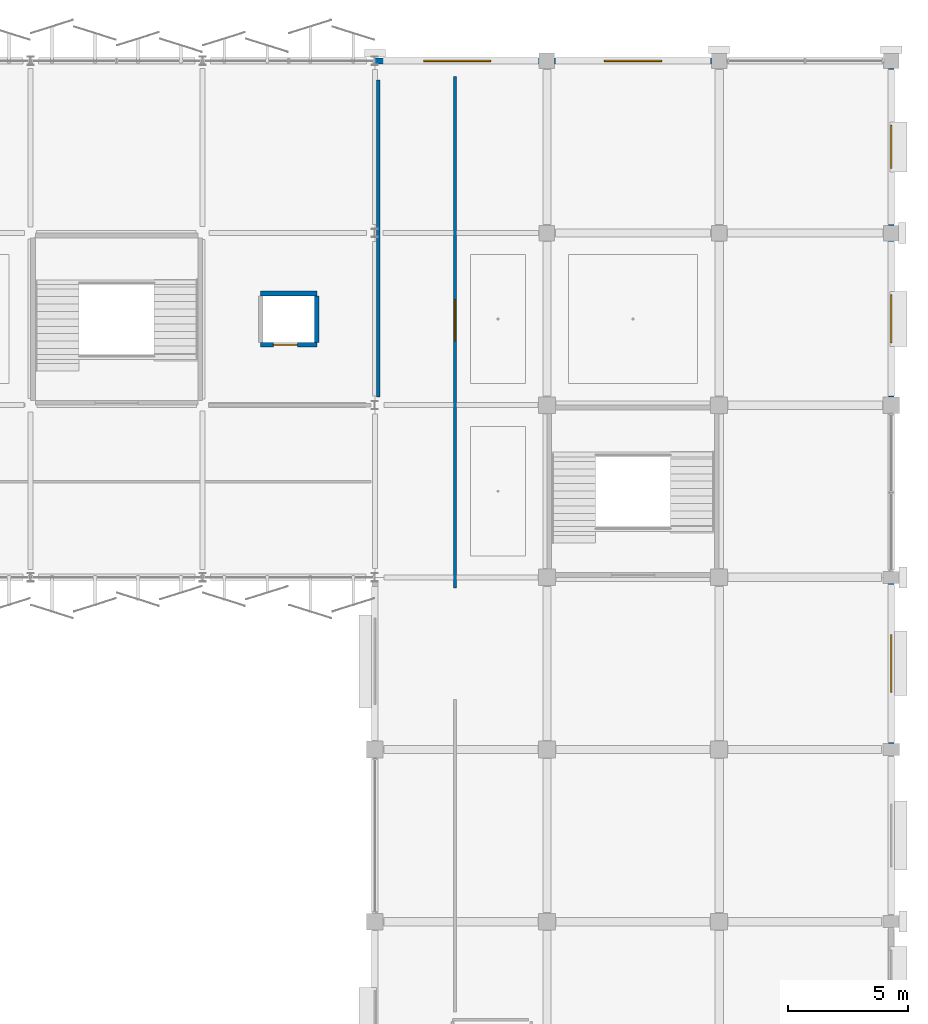
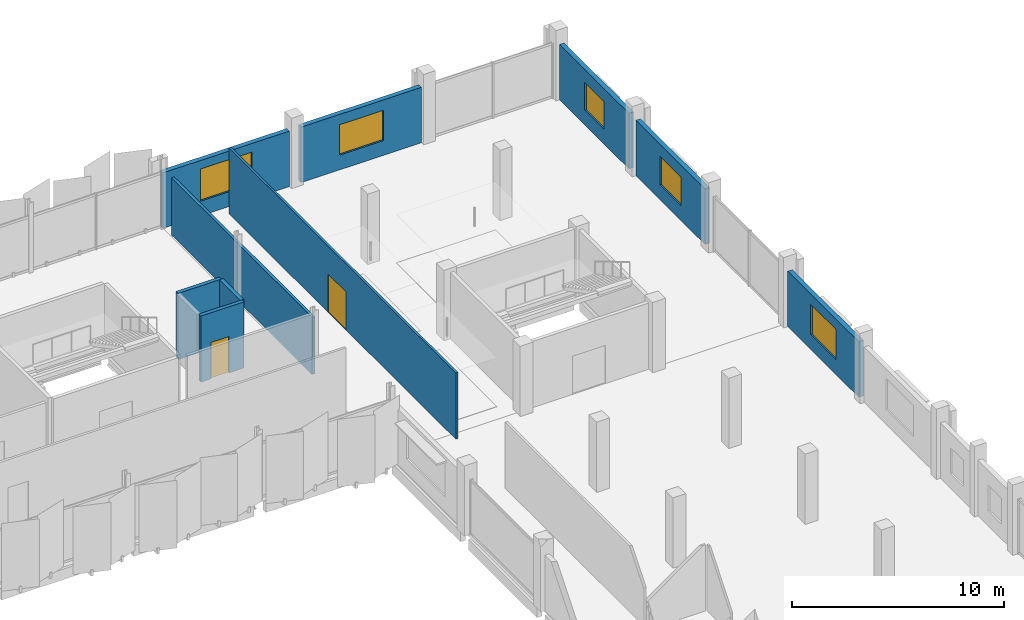
# One storey, part 73 of 91: 10 walls, 5 windows, 2 doors, 7 openings.
"""IFC4 building model written with IfcOpenShell, lengths in metres."""

from ifc_helpers import new_model, si_unit, direction, frame, frame_2d, origin, place, context, subcontext, project, spatial, rectangle, extrude, material, layer, layer_set, type_object, element, fill, save


model = new_model("IFC4")

# Units and contexts
model_context = context("Model", 3, precision=1e-05, world=origin(), true_north=direction((0.0, 1.0)))
body_context = subcontext(model_context, "Body", "Model", "MODEL_VIEW")
ifc_project = project(units=[si_unit("LENGTHUNIT", "METRE"), si_unit("AREAUNIT", "SQUARE_METRE"), si_unit("VOLUMEUNIT", "CUBIC_METRE"), si_unit("PLANEANGLEUNIT", "RADIAN"), si_unit("MASSUNIT", "GRAM", prefix="KILO")], contexts=[model_context])

# Site, building, storey
site_placement = place(None, origin())
site = spatial("IfcSite", under=ifc_project, at=site_placement, CompositionType="ELEMENT")
building_placement = place(site_placement, origin())
building = spatial("IfcBuilding", under=site, at=building_placement, Name="Kangsadwip Square Police Headquarters", CompositionType="ELEMENT")
storey_placement = place(building_placement, frame((0.0, 0.0, 13.5)))
storey = spatial("IfcBuildingStorey", under=building, at=storey_placement, Name="L03", CompositionType="ELEMENT", Elevation=13.5)

# Wall, opening, door
ifc_material_1 = material(Name="Fire-rated double gypsum board acoustic stud partition", Category="masonry")
ifc_layer_1 = layer(ifc_material_1, 0.1201171875)
ifc_layer_set_1 = layer_set([ifc_layer_1], Name="Fire-rated double gypsum board acoustic stud partition")
wall_type_1 = type_object("IfcWallType", Name="AcousticPartition120", PredefinedType="PARTITIONING", material=ifc_layer_set_1)
wall_1_placement = place(storey_placement, frame((147.35009765625, 93.14990234375, 0.0), z_axis=(0.0, 0.0, 1.0), x_axis=(0.0, 1.0, 0.0)))
wall_1 = element("IfcWall", 1, at=wall_1_placement, inside=storey, type_object=wall_type_1, Name="Interior Wall WI-L03-0819", PredefinedType="PARTITIONING", context=body_context, shape_type="SweptSolid", body=[
    extrude(rectangle(XDim=21.400146484375, YDim=0.1201171875, at=frame_2d((10.7001953125, 0.0))), origin(), (0.0, 0.0, 1.0), 3.81005859375),
])
opening_1_placement = place(wall_1_placement, frame((10.35498046875, 0.0, 0.0)))
opening_1 = element("IfcOpeningElement", 2, at=opening_1_placement, cuts=wall_1, Name="Opening ID-17", PredefinedType="OPENING", context=body_context, shape_type="SweptSolid", body=[
    extrude(rectangle(XDim=1.699951171875, YDim=2.199951171875, at=frame_2d((0.85009765625, 1.10009765625))), frame((0.0, 0.070068359375, 0.0), z_axis=(0.0, -1.0, 0.0), x_axis=(1.0, 0.0, 0.0)), (0.0, 0.0, 1.0), 0.14013671875),
])
ifc_material_2 = material(Name="Insulated galvanized steel fire-rated door assembly", Category="steel")
door_type_1 = type_object("IfcDoorType", Name="LabDoubleDoor1700x2200", OperationType="DOUBLE_DOOR_SINGLE_SWING", PredefinedType="DOOR", material=ifc_material_2)
door_1_placement = place(opening_1_placement, origin())
door_1 = element("IfcDoor", 3, at=door_1_placement, inside=storey, type_object=door_type_1, Name="Interior Door ID-L03-0212", OperationType="DOUBLE_DOOR_SINGLE_SWING", OverallHeight=2.199951171875, OverallWidth=1.699951171875, PredefinedType="DOOR", context=body_context, shape_type="SweptSolid", body=[
    extrude(rectangle(XDim=1.699951171875, YDim=2.199951171875, at=frame_2d((0.85009765625, 1.10009765625))), frame((0.0, 0.02490234375, 0.0), z_axis=(0.0, -1.0, 0.0), x_axis=(1.0, 0.0, 0.0)), (0.0, 0.0, 1.0), 0.050048828125),
])
fill(opening_1, door_1)

# Wall
ifc_material_3 = material(Name="Autoclaved aerated concrete blockwork masonry", Category="masonry")
ifc_layer_2 = layer(ifc_material_3, 0.14990234375)
ifc_layer_set_2 = layer_set([ifc_layer_2], Name="Autoclaved aerated concrete blockwork masonry")
wall_type_2 = type_object("IfcWallType", Name="BlockPartition150", PredefinedType="PARTITIONING", material=ifc_layer_set_2)
wall_2_placement = place(storey_placement, frame((144.14990234375, 101.14990234375, 0.0), z_axis=(0.0, 0.0, 1.0), x_axis=(0.0, 1.0, 0.0)))
element("IfcWall", 4, at=wall_2_placement, inside=storey, type_object=wall_type_2, Name="Interior Wall WI-L03-0815", PredefinedType="PARTITIONING", context=body_context, shape_type="SweptSolid", body=[
    extrude(rectangle(XDim=13.25, YDim=0.14990234375, at=frame_2d((6.625, 0.0))), origin(), (0.0, 0.0, 1.0), 3.300048828125),
])

# Wall, opening, window
ifc_material_4 = material(Name="Glazed architectural terracotta masonry rainscreen", Category="masonry")
ifc_layer_3 = layer(ifc_material_4, 0.25)
ifc_layer_set_3 = layer_set([ifc_layer_3], Name="Glazed architectural terracotta masonry rainscreen")
wall_type_3 = type_object("IfcWallType", Name="ChicagoTerracottaWall250", PredefinedType="SOLIDWALL", material=ifc_layer_set_3)
wall_3_placement = place(storey_placement, frame((144.010009765625, 115.199951171875, 0.0), z_axis=(0.0, 0.0, 1.0), x_axis=(1.0, 0.0, 0.0)))
wall_3 = element("IfcWall", 5, at=wall_3_placement, inside=storey, type_object=wall_type_3, Name="Exterior Wall WE-L03-378", PredefinedType="SOLIDWALL", context=body_context, shape_type="SweptSolid", body=[
    extrude(rectangle(XDim=6.869873046875, YDim=0.25, at=frame_2d((3.43505859375, 0.0))), origin(), (0.0, 0.0, 1.0), 3.195068359375),
])
opening_2_placement = place(wall_3_placement, frame((2.034912109375, 0.0, 0.85009765625)))
opening_2 = element("IfcOpeningElement", 6, at=opening_2_placement, cuts=wall_3, Name="Opening WN-05", PredefinedType="OPENING", context=body_context, shape_type="SweptSolid", body=[
    extrude(rectangle(XDim=2.800048828125, YDim=1.85009765625, at=frame_2d((1.39990234375, 0.925048828125))), frame((0.0, 0.135009765625, 0.0), z_axis=(0.0, -1.0, 0.0), x_axis=(1.0, 0.0, 0.0)), (0.0, 0.0, 1.0), 0.27001953125),
])
ifc_material_5 = material(Name="Double-glazed solar-control low-E safety glass", Category="glass")
window_type_1 = type_object("IfcWindowType", Name="ChicagoDoubleMullWin2800x1850", PartitioningType="DOUBLE_PANEL_VERTICAL", PredefinedType="WINDOW", material=ifc_material_5)
window_1_placement = place(opening_2_placement, origin())
window_1 = element("IfcWindow", 7, at=window_1_placement, inside=storey, type_object=window_type_1, Name="Window WN-L03-0231", OverallHeight=1.85009765625, OverallWidth=2.800048828125, PartitioningType="SINGLE_PANEL", PredefinedType="WINDOW", context=body_context, shape_type="SweptSolid", body=[
    extrude(rectangle(XDim=2.800048828125, YDim=1.85009765625, at=frame_2d((1.39990234375, 0.925048828125))), frame((0.0, 0.030029296875, 0.0), z_axis=(0.0, -1.0, 0.0), x_axis=(1.0, 0.0, 0.0)), (0.0, 0.0, 1.0), 0.06005859375),
])
fill(opening_2, window_1)

wall_4_placement = place(storey_placement, frame((151.52001953125, 115.199951171875, 0.0), z_axis=(0.0, 0.0, 1.0), x_axis=(1.0, 0.0, 0.0)))
wall_4 = element("IfcWall", 8, at=wall_4_placement, inside=storey, type_object=wall_type_3, Name="Exterior Wall WE-L03-379", PredefinedType="SOLIDWALL", context=body_context, shape_type="SweptSolid", body=[
    extrude(rectangle(XDim=6.56005859375, YDim=0.25, at=frame_2d((3.280029296875, 0.0))), origin(), (0.0, 0.0, 1.0), 3.195068359375),
])
opening_3_placement = place(wall_4_placement, frame((2.080078125, 0.0, 0.85009765625)))
opening_3 = element("IfcOpeningElement", 9, at=opening_3_placement, cuts=wall_4, Name="Opening WN-07", PredefinedType="OPENING", context=body_context, shape_type="SweptSolid", body=[
    extrude(rectangle(XDim=2.39990234375, YDim=1.75, at=frame_2d((1.199951171875, 0.875))), frame((0.0, 0.135009765625, 0.0), z_axis=(0.0, -1.0, 0.0), x_axis=(1.0, 0.0, 0.0)), (0.0, 0.0, 1.0), 0.27001953125),
])
ifc_material_6 = material(Name="Double-glazed solar-control low-E safety glass", Category="glass")
window_type_2 = type_object("IfcWindowType", Name="ChicagoDoubleMullWin2400x1750", PartitioningType="DOUBLE_PANEL_VERTICAL", PredefinedType="WINDOW", material=ifc_material_6)
window_2_placement = place(opening_3_placement, origin())
window_2 = element("IfcWindow", 10, at=window_2_placement, inside=storey, type_object=window_type_2, Name="Window WN-L03-0232", OverallHeight=1.75, OverallWidth=2.39990234375, PartitioningType="SINGLE_PANEL", PredefinedType="WINDOW", context=body_context, shape_type="SweptSolid", body=[
    extrude(rectangle(XDim=2.39990234375, YDim=1.75, at=frame_2d((1.199951171875, 0.875))), frame((0.0, 0.030029296875, 0.0), z_axis=(0.0, -1.0, 0.0), x_axis=(1.0, 0.0, 0.0)), (0.0, 0.0, 1.0), 0.06005859375),
])
fill(opening_3, window_2)

wall_5_placement = place(storey_placement, frame((165.60009765625, 86.64501953125, 0.0), z_axis=(0.0, 0.0, 1.0), x_axis=(0.0, 1.0, 0.0)))
wall_5 = element("IfcWall", 11, at=wall_5_placement, inside=storey, type_object=wall_type_3, Name="Exterior Wall WE-L03-418", PredefinedType="SOLIDWALL", context=body_context, shape_type="SweptSolid", body=[
    extrude(rectangle(XDim=6.7099609375, YDim=0.25, at=frame_2d((3.35498046875, 0.0))), origin(), (0.0, 0.0, 1.0), 3.195068359375),
])
opening_4_placement = place(wall_5_placement, frame((2.155029296875, 0.0, 0.85009765625)))
opening_4 = element("IfcOpeningElement", 12, at=opening_4_placement, cuts=wall_5, Name="Opening WN-07", PredefinedType="OPENING", context=body_context, shape_type="SweptSolid", body=[
    extrude(rectangle(XDim=2.39990234375, YDim=1.75, at=frame_2d((1.199951171875, 0.875))), frame((0.0, 0.135009765625, 0.0), z_axis=(0.0, -1.0, 0.0), x_axis=(1.0, 0.0, 0.0)), (0.0, 0.0, 1.0), 0.27001953125),
])
window_3_placement = place(opening_4_placement, origin())
window_3 = element("IfcWindow", 13, at=window_3_placement, inside=storey, type_object=window_type_2, Name="Window WN-L03-0269", OverallHeight=1.75, OverallWidth=2.39990234375, PartitioningType="SINGLE_PANEL", PredefinedType="WINDOW", context=body_context, shape_type="SweptSolid", body=[
    extrude(rectangle(XDim=2.39990234375, YDim=1.75, at=frame_2d((1.199951171875, 0.875))), frame((0.0, 0.030029296875, 0.0), z_axis=(0.0, -1.0, 0.0), x_axis=(1.0, 0.0, 0.0)), (0.0, 0.0, 1.0), 0.06005859375),
])
fill(opening_4, window_3)

wall_6_placement = place(storey_placement, frame((165.60009765625, 101.14501953125, 0.0), z_axis=(0.0, 0.0, 1.0), x_axis=(0.0, 1.0, 0.0)))
wall_6 = element("IfcWall", 14, at=wall_6_placement, inside=storey, type_object=wall_type_3, Name="Exterior Wall WE-L03-419", PredefinedType="SOLIDWALL", context=body_context, shape_type="SweptSolid", body=[
    extrude(rectangle(XDim=6.534912109375, YDim=0.25, at=frame_2d((3.267578125, 0.0))), origin(), (0.0, 0.0, 1.0), 3.195068359375),
])
opening_5_placement = place(wall_6_placement, frame((2.267578125, 0.0, 0.85009765625)))
opening_5 = element("IfcOpeningElement", 15, at=opening_5_placement, cuts=wall_6, Name="Opening WN-09", PredefinedType="OPENING", context=body_context, shape_type="SweptSolid", body=[
    extrude(rectangle(XDim=2.0, YDim=1.64990234375, at=frame_2d((1.0, 0.824951171875))), frame((0.0, 0.135009765625, 0.0), z_axis=(0.0, -1.0, 0.0), x_axis=(1.0, 0.0, 0.0)), (0.0, 0.0, 1.0), 0.27001953125),
])
ifc_material_7 = material(Name="Double-glazed solar-control low-E safety glass", Category="glass")
window_type_3 = type_object("IfcWindowType", Name="ChicagoDoubleMullWin2000x1650", PartitioningType="DOUBLE_PANEL_VERTICAL", PredefinedType="WINDOW", material=ifc_material_7)
window_4_placement = place(opening_5_placement, origin())
window_4 = element("IfcWindow", 16, at=window_4_placement, inside=storey, type_object=window_type_3, Name="Window WN-L03-0270", OverallHeight=1.64990234375, OverallWidth=2.0, PartitioningType="SINGLE_PANEL", PredefinedType="WINDOW", context=body_context, shape_type="SweptSolid", body=[
    extrude(rectangle(XDim=2.0, YDim=1.64990234375, at=frame_2d((1.0, 0.824951171875))), frame((0.0, 0.030029296875, 0.0), z_axis=(0.0, -1.0, 0.0), x_axis=(1.0, 0.0, 0.0)), (0.0, 0.0, 1.0), 0.06005859375),
])
fill(opening_5, window_4)

wall_7_placement = place(storey_placement, frame((165.60009765625, 108.320068359375, 0.0), z_axis=(0.0, 0.0, 1.0), x_axis=(0.0, 1.0, 0.0)))
wall_7 = element("IfcWall", 17, at=wall_7_placement, inside=storey, type_object=wall_type_3, Name="Exterior Wall WE-L03-420", PredefinedType="SOLIDWALL", context=body_context, shape_type="SweptSolid", body=[
    extrude(rectangle(XDim=6.559814453125, YDim=0.25, at=frame_2d((3.27978515625, 0.0))), origin(), (0.0, 0.0, 1.0), 3.195068359375),
])
opening_6_placement = place(wall_7_placement, frame((2.3798828125, 0.0, 0.85009765625)))
opening_6 = element("IfcOpeningElement", 18, at=opening_6_placement, cuts=wall_7, Name="Opening WN-10", PredefinedType="OPENING", context=body_context, shape_type="SweptSolid", body=[
    extrude(rectangle(XDim=1.800048828125, YDim=1.60009765625, at=frame_2d((0.89990234375, 0.800048828125))), frame((0.0, 0.135009765625, 0.0), z_axis=(0.0, -1.0, 0.0), x_axis=(1.0, 0.0, 0.0)), (0.0, 0.0, 1.0), 0.27001953125),
])
ifc_material_8 = material(Name="Double-glazed solar-control low-E safety glass", Category="glass")
window_type_4 = type_object("IfcWindowType", Name="LabCleanViewWin1800x1600", PartitioningType="DOUBLE_PANEL_VERTICAL", PredefinedType="WINDOW", material=ifc_material_8)
window_5_placement = place(opening_6_placement, origin())
window_5 = element("IfcWindow", 19, at=window_5_placement, inside=storey, type_object=window_type_4, Name="Window WN-L03-0271", OverallHeight=1.60009765625, OverallWidth=1.800048828125, PartitioningType="SINGLE_PANEL", PredefinedType="WINDOW", context=body_context, shape_type="SweptSolid", body=[
    extrude(rectangle(XDim=1.800048828125, YDim=1.60009765625, at=frame_2d((0.89990234375, 0.800048828125))), frame((0.0, 0.030029296875, 0.0), z_axis=(0.0, -1.0, 0.0), x_axis=(1.0, 0.0, 0.0)), (0.0, 0.0, 1.0), 0.06005859375),
])
fill(opening_6, window_5)

# Wall, opening, door
ifc_material_9 = material(Name="Concrete M40 (40 MPa)", Category="concrete")
ifc_layer_4 = layer(ifc_material_9, 0.199951171875)
ifc_layer_set_4 = layer_set([ifc_layer_4], Name="Concrete M40 (40 MPa)")
wall_type_4 = type_object("IfcWallType", Name="CoreShearWall200", PredefinedType="SHEAR", material=ifc_layer_set_4)
wall_8_placement = place(storey_placement, frame((139.22509765625, 103.324951171875, 0.0), z_axis=(0.0, 0.0, 1.0), x_axis=(1.0, 0.0, 0.0)))
wall_8 = element("IfcWall", 20, at=wall_8_placement, inside=storey, type_object=wall_type_4, Name="Interior Wall WI-L03-0475", PredefinedType="SHEAR", context=body_context, shape_type="SweptSolid", body=[
    extrude(rectangle(XDim=2.349853515625, YDim=0.199951171875, at=frame_2d((1.1748046875, 0.0))), origin(), (0.0, 0.0, 1.0), 3.81005859375),
])
opening_7_placement = place(wall_8_placement, frame((0.532958984375, 0.0, 0.0)))
opening_7 = element("IfcOpeningElement", 21, at=opening_7_placement, cuts=wall_8, Name="Opening LD-056", PredefinedType="OPENING", context=body_context, shape_type="SweptSolid", body=[
    extrude(rectangle(XDim=1.0, YDim=2.10009765625, at=frame_2d((0.5, 1.050048828125))), frame((0.0, 0.10986328125, 0.0), z_axis=(0.0, -1.0, 0.0), x_axis=(1.0, 0.0, 0.0)), (0.0, 0.0, 1.0), 0.219970703125),
])
ifc_material_10 = material(Name="Brushed stainless steel automatic sliding lift landing door", Category="steel")
door_type_2 = type_object("IfcDoorType", Name="LiftLandingDoor1000x2100", OperationType="DOUBLE_DOOR_SLIDING", PredefinedType="DOOR", material=ifc_material_10)
door_2_placement = place(opening_7_placement, origin())
door_2 = element("IfcDoor", 22, at=door_2_placement, inside=storey, type_object=door_type_2, Name="Interior Door LD-056", OperationType="DOUBLE_DOOR_SLIDING", OverallHeight=2.10009765625, OverallWidth=1.0, PredefinedType="DOOR", context=body_context, shape_type="SweptSolid", body=[
    extrude(rectangle(XDim=1.0, YDim=2.10009765625, at=frame_2d((0.5, 1.050048828125))), frame((0.0, 0.02490234375, 0.0), z_axis=(0.0, -1.0, 0.0), x_axis=(1.0, 0.0, 0.0)), (0.0, 0.0, 1.0), 0.050048828125),
])
fill(opening_7, door_2)

# Walls
wall_9_placement = place(storey_placement, frame((139.22509765625, 105.47509765625, 0.0), z_axis=(0.0, 0.0, 1.0), x_axis=(1.0, 0.0, 0.0)))
element("IfcWall", 23, at=wall_9_placement, inside=storey, type_object=wall_type_4, Name="Interior Wall WI-L03-0476", PredefinedType="SHEAR", context=body_context, shape_type="SweptSolid", body=[
    extrude(rectangle(XDim=2.349853515625, YDim=0.199951171875, at=frame_2d((1.1748046875, 0.0))), origin(), (0.0, 0.0, 1.0), 3.81005859375),
])
wall_10_placement = place(storey_placement, frame((141.574951171875, 103.425048828125, 0.0), z_axis=(0.0, 0.0, 1.0), x_axis=(0.0, 1.0, 0.0)))
element("IfcWall", 24, at=wall_10_placement, inside=storey, type_object=wall_type_4, Name="Interior Wall WI-L03-0478", PredefinedType="SHEAR", context=body_context, shape_type="SweptSolid", body=[
    extrude(rectangle(XDim=1.949951171875, YDim=0.199951171875, at=frame_2d((0.97509765625, 0.0))), origin(), (0.0, 0.0, 1.0), 3.81005859375),
])

save(model, "model.ifc")
